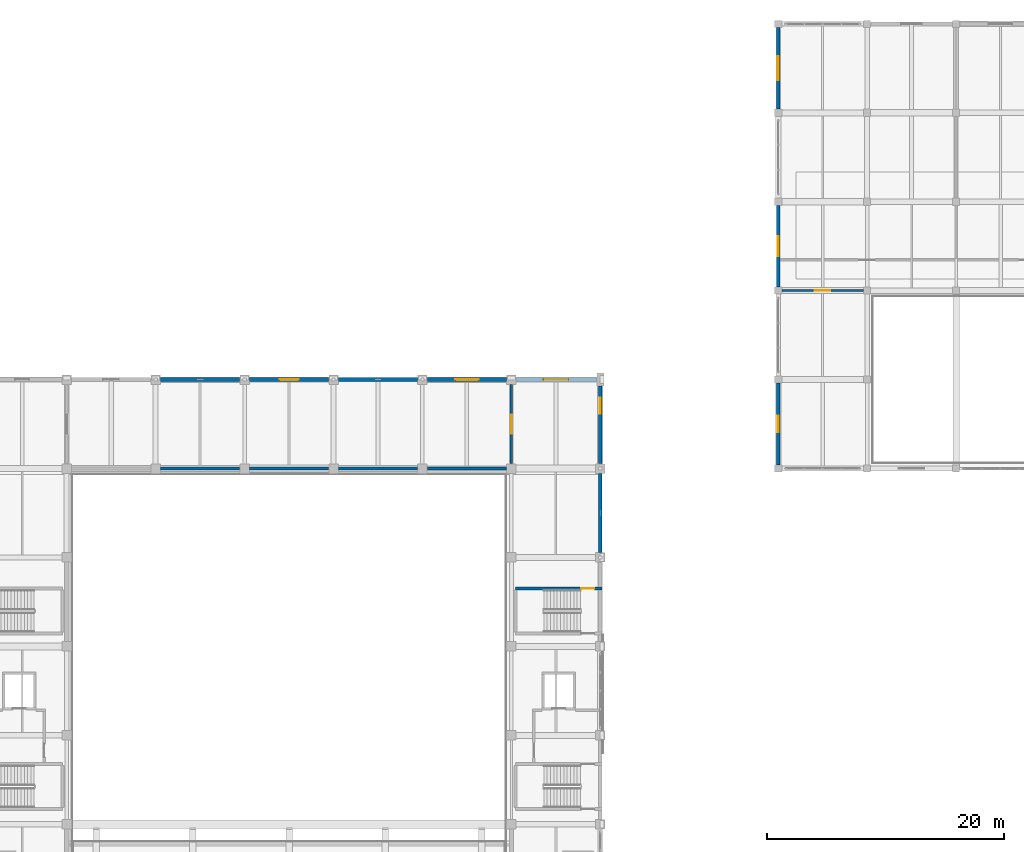
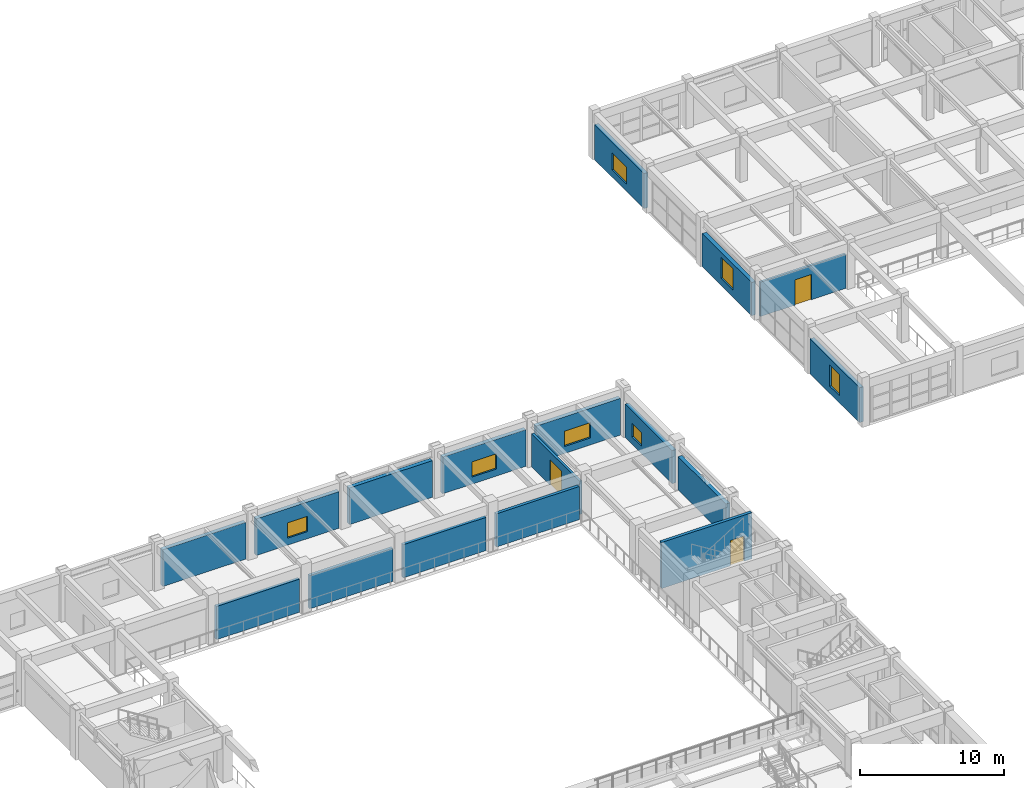
# One storey, part 98 of 124: 17 walls, 7 windows, 3 doors, 10 openings.
"""IFC4 building model written with IfcOpenShell, lengths in metres."""

from ifc_helpers import new_model, si_unit, direction, frame, frame_2d, origin, place, context, subcontext, project, spatial, rectangle, extrude, material, layer, layer_set, type_object, element, fill, save


model = new_model("IFC4")

# Units and contexts
model_context = context("Model", 3, precision=1e-05, world=origin(), true_north=direction((0.0, 1.0)))
body_context = subcontext(model_context, "Body", "Model", "MODEL_VIEW")
ifc_project = project(units=[si_unit("LENGTHUNIT", "METRE"), si_unit("AREAUNIT", "SQUARE_METRE"), si_unit("VOLUMEUNIT", "CUBIC_METRE"), si_unit("PLANEANGLEUNIT", "RADIAN"), si_unit("MASSUNIT", "GRAM", prefix="KILO")], contexts=[model_context])

# Site, building, storey
site_placement = place(None, origin())
site = spatial("IfcSite", under=ifc_project, at=site_placement, CompositionType="ELEMENT")
building_placement = place(site_placement, origin())
building = spatial("IfcBuilding", under=site, at=building_placement, Name="Qasida Concert Hall", CompositionType="ELEMENT")
storey_placement = place(building_placement, frame((0.0, 0.0, 9.0)))
storey = spatial("IfcBuildingStorey", under=building, at=storey_placement, Name="L02", CompositionType="ELEMENT", Elevation=9.0)

# Wall, opening, door
ifc_material_1 = material(Name="Concrete C40/50", Category="concrete")
ifc_layer_1 = layer(ifc_material_1, 0.25, Name="Concrete C40/50")
ifc_layer_set_1 = layer_set([ifc_layer_1], Name="Concrete C40/50")
wall_type_1 = type_object("IfcWallType", Name="WL-CW-250", PredefinedType="SOLIDWALL", material=ifc_layer_set_1)
wall_1_placement = place(storey_placement, frame((97.860107421875, 64.885009765625, 0.0), z_axis=(0.0, 0.0, 1.0), x_axis=(1.0, 0.0, 0.0)))
wall_1 = element("IfcWall", 1, at=wall_1_placement, inside=storey, type_object=wall_type_1, Name="L02 ST-12 stairwell wall N", PredefinedType="SOLIDWALL", context=body_context, shape_type="SweptSolid", body=[
    extrude(rectangle(XDim=7.260009765625, YDim=0.25, at=frame_2d((3.6298828125, 0.0))), origin(), (0.0, 0.0, 1.0), 3.919921875),
])
opening_1_placement = place(wall_1_placement, frame((5.5400390625, 0.0, 0.0)))
opening_1 = element("IfcOpeningElement", 2, at=opening_1_placement, cuts=wall_1, Name="Opening FD-110", PredefinedType="OPENING", context=body_context, shape_type="SweptSolid", body=[
    extrude(rectangle(XDim=1.10009765625, YDim=2.14990234375, at=frame_2d((0.550048828125, 1.074951171875))), frame((0.0, 0.135009765625, 0.0), z_axis=(0.0, -1.0, 0.0), x_axis=(1.0, 0.0, 0.0)), (0.0, 0.0, 1.0), 0.27001953125),
])
ifc_material_2 = material(Name="Steel fire-rated stair/lobby door set", Category="steel")
door_type_1 = type_object("IfcDoorType", Name="FD-110", OperationType="NOTDEFINED", PredefinedType="DOOR", material=ifc_material_2)
door_1_placement = place(opening_1_placement, frame((1.10009765625, 0.0, 0.0), z_axis=(0.0, 0.0, 1.0), x_axis=(-1.0, 0.0, 0.0)))
door_1 = element("IfcDoor", 3, at=door_1_placement, inside=storey, type_object=door_type_1, Name="L02 ST-12 rated stair door", OperationType="SINGLE_SWING_RIGHT", OverallHeight=2.14990234375, OverallWidth=1.10009765625, PredefinedType="DOOR", context=body_context, shape_type="SweptSolid", body=[
    extrude(rectangle(XDim=1.10009765625, YDim=2.14990234375, at=frame_2d((0.550048828125, 1.074951171875))), frame((0.0, 0.02490234375, 0.0), z_axis=(0.0, -1.0, 0.0), x_axis=(1.0, 0.0, 0.0)), (0.0, 0.0, 1.0), 0.050048828125),
])
fill(opening_1, door_1)

# Wall
ifc_material_3 = material(Name="Precast concrete C40/50", Category="concrete")
ifc_layer_2 = layer(ifc_material_3, 0.320068359375, Name="Precast concrete C40/50")
ifc_layer_set_2 = layer_set([ifc_layer_2], Name="Precast concrete C40/50")
wall_type_2 = type_object("IfcWallType", Name="WL-EW-320", PredefinedType="SOLIDWALL", material=ifc_layer_set_2)
wall_2_placement = place(storey_placement, frame((105.0, 67.9150390625, 0.0), z_axis=(0.0, 0.0, 1.0), x_axis=(0.0, 1.0, 0.0)))
element("IfcWall", 4, at=wall_2_placement, inside=storey, type_object=wall_type_2, Name="L02 exterior wall EW-320 0053", PredefinedType="SOLIDWALL", context=body_context, shape_type="SweptSolid", body=[
    extrude(rectangle(XDim=6.669921875, YDim=0.320068359375, at=frame_2d((3.3349609375, 0.0))), origin(), (0.0, 0.0, 1.0), 2.820068359375),
])

# Wall, opening, window
wall_3_placement = place(storey_placement, frame((105.0, 75.4150390625, 0.0), z_axis=(0.0, 0.0, 1.0), x_axis=(0.0, 1.0, 0.0)))
wall_3 = element("IfcWall", 5, at=wall_3_placement, inside=storey, type_object=wall_type_2, Name="L02 exterior wall EW-320 0054", PredefinedType="SOLIDWALL", context=body_context, shape_type="SweptSolid", body=[
    extrude(rectangle(XDim=6.530029296875, YDim=0.320068359375, at=frame_2d((3.26513671875, 0.0))), origin(), (0.0, 0.0, 1.0), 2.820068359375),
])
opening_2_placement = place(wall_3_placement, frame((4.22509765625, 0.0, 0.60009765625)))
opening_2 = element("IfcOpeningElement", 6, at=opening_2_placement, cuts=wall_3, Name="Opening WN-23", PredefinedType="OPENING", context=body_context, shape_type="SweptSolid", body=[
    extrude(rectangle(XDim=1.35009765625, YDim=1.14990234375, at=frame_2d((0.675048828125, 0.574951171875))), frame((0.0, 0.169921875, 0.0), z_axis=(0.0, -1.0, 0.0), x_axis=(1.0, 0.0, 0.0)), (0.0, 0.0, 1.0), 0.340087890625),
])
ifc_material_4 = material(Name="Bronze-anodized aluminium frame with acoustic low-E glazing", Category="aluminium")
window_type_1 = type_object("IfcWindowType", Name="WN-23", PartitioningType="SINGLE_PANEL", PredefinedType="WINDOW", material=ifc_material_4)
window_1_placement = place(opening_2_placement, origin())
window_1 = element("IfcWindow", 7, at=window_1_placement, inside=storey, type_object=window_type_1, Name="L02 window WN-23 0015", OverallHeight=1.14990234375, OverallWidth=1.35009765625, PartitioningType="SINGLE_PANEL", PredefinedType="WINDOW", context=body_context, shape_type="SweptSolid", body=[
    extrude(rectangle(XDim=1.35009765625, YDim=1.14990234375, at=frame_2d((0.675048828125, 0.574951171875))), frame((0.0, 0.030029296875, 0.0), z_axis=(0.0, -1.0, 0.0), x_axis=(1.0, 0.0, 0.0)), (0.0, 0.0, 1.0), 0.06005859375),
])
fill(opening_2, window_1)

# Wall
wall_4_placement = place(storey_placement, frame((67.9150390625, 82.5, 0.0), z_axis=(0.0, 0.0, 1.0), x_axis=(1.0, 0.0, 0.0)))
element("IfcWall", 8, at=wall_4_placement, inside=storey, type_object=wall_type_2, Name="L02 exterior wall EW-320 0057", PredefinedType="SOLIDWALL", context=body_context, shape_type="SweptSolid", body=[
    extrude(rectangle(XDim=6.669921875, YDim=0.320068359375, at=frame_2d((3.3349609375, 0.0))), origin(), (0.0, 0.0, 1.0), 3.1201171875),
])

# Wall, opening, window
wall_5_placement = place(storey_placement, frame((75.4150390625, 82.5, 0.0), z_axis=(0.0, 0.0, 1.0), x_axis=(1.0, 0.0, 0.0)))
wall_5 = element("IfcWall", 9, at=wall_5_placement, inside=storey, type_object=wall_type_2, Name="L02 exterior wall EW-320 0058", PredefinedType="SOLIDWALL", context=body_context, shape_type="SweptSolid", body=[
    extrude(rectangle(XDim=6.669921875, YDim=0.320068359375, at=frame_2d((3.3349609375, 0.0))), origin(), (0.0, 0.0, 1.0), 3.1201171875),
])
opening_3_placement = place(wall_5_placement, frame((2.534912109375, 0.0, 0.60009765625)))
opening_3 = element("IfcOpeningElement", 10, at=opening_3_placement, cuts=wall_5, Name="Opening WN-12", PredefinedType="OPENING", context=body_context, shape_type="SweptSolid", body=[
    extrude(rectangle(XDim=1.60009765625, YDim=1.300048828125, at=frame_2d((0.800048828125, 0.64990234375))), frame((0.0, 0.169921875, 0.0), z_axis=(0.0, -1.0, 0.0), x_axis=(1.0, 0.0, 0.0)), (0.0, 0.0, 1.0), 0.340087890625),
])
window_type_2 = type_object("IfcWindowType", Name="WN-12", PartitioningType="SINGLE_PANEL", PredefinedType="WINDOW", material=ifc_material_4)
window_2_placement = place(opening_3_placement, origin())
window_2 = element("IfcWindow", 11, at=window_2_placement, inside=storey, type_object=window_type_2, Name="L02 window WN-12 0018", OverallHeight=1.300048828125, OverallWidth=1.60009765625, PartitioningType="SINGLE_PANEL", PredefinedType="WINDOW", context=body_context, shape_type="SweptSolid", body=[
    extrude(rectangle(XDim=1.60009765625, YDim=1.300048828125, at=frame_2d((0.800048828125, 0.64990234375))), frame((0.0, 0.030029296875, 0.0), z_axis=(0.0, -1.0, 0.0), x_axis=(1.0, 0.0, 0.0)), (0.0, 0.0, 1.0), 0.06005859375),
])
fill(opening_3, window_2)

# Wall
wall_6_placement = place(storey_placement, frame((82.9150390625, 82.5, 0.0), z_axis=(0.0, 0.0, 1.0), x_axis=(1.0, 0.0, 0.0)))
element("IfcWall", 12, at=wall_6_placement, inside=storey, type_object=wall_type_2, Name="L02 exterior wall EW-320 0059", PredefinedType="SOLIDWALL", context=body_context, shape_type="SweptSolid", body=[
    extrude(rectangle(XDim=6.669921875, YDim=0.320068359375, at=frame_2d((3.3349609375, 0.0))), origin(), (0.0, 0.0, 1.0), 3.1201171875),
])

# Wall, opening, window
wall_7_placement = place(storey_placement, frame((90.4150390625, 82.5, 0.0), z_axis=(0.0, 0.0, 1.0), x_axis=(1.0, 0.0, 0.0)))
wall_7 = element("IfcWall", 13, at=wall_7_placement, inside=storey, type_object=wall_type_2, Name="L02 exterior wall EW-320 0060", PredefinedType="SOLIDWALL", context=body_context, shape_type="SweptSolid", body=[
    extrude(rectangle(XDim=6.669921875, YDim=0.320068359375, at=frame_2d((3.3349609375, 0.0))), origin(), (0.0, 0.0, 1.0), 3.1201171875),
])
opening_4_placement = place(wall_7_placement, frame((2.360107421875, 0.0, 0.60009765625)))
opening_4 = element("IfcOpeningElement", 14, at=opening_4_placement, cuts=wall_7, Name="Opening WN-14", PredefinedType="OPENING", context=body_context, shape_type="SweptSolid", body=[
    extrude(rectangle(XDim=1.949951171875, YDim=1.300048828125, at=frame_2d((0.97509765625, 0.64990234375))), frame((0.0, 0.169921875, 0.0), z_axis=(0.0, -1.0, 0.0), x_axis=(1.0, 0.0, 0.0)), (0.0, 0.0, 1.0), 0.340087890625),
])
window_type_3 = type_object("IfcWindowType", Name="WN-14", PartitioningType="SINGLE_PANEL", PredefinedType="WINDOW", material=ifc_material_4)
window_3_placement = place(opening_4_placement, origin())
window_3 = element("IfcWindow", 15, at=window_3_placement, inside=storey, type_object=window_type_3, Name="L02 window WN-14 0019", OverallHeight=1.300048828125, OverallWidth=1.949951171875, PartitioningType="SINGLE_PANEL", PredefinedType="WINDOW", context=body_context, shape_type="SweptSolid", body=[
    extrude(rectangle(XDim=1.949951171875, YDim=1.300048828125, at=frame_2d((0.97509765625, 0.64990234375))), frame((0.0, 0.030029296875, 0.0), z_axis=(0.0, -1.0, 0.0), x_axis=(1.0, 0.0, 0.0)), (0.0, 0.0, 1.0), 0.06005859375),
])
fill(opening_4, window_3)

wall_8_placement = place(storey_placement, frame((97.9150390625, 82.5, 0.0), z_axis=(0.0, 0.0, 1.0), x_axis=(1.0, 0.0, 0.0)))
wall_8 = element("IfcWall", 16, at=wall_8_placement, inside=storey, type_object=wall_type_2, Name="L02 exterior wall EW-320 0061", PredefinedType="SOLIDWALL", context=body_context, shape_type="SweptSolid", body=[
    extrude(rectangle(XDim=6.780029296875, YDim=0.320068359375, at=frame_2d((3.39013671875, 0.0))), origin(), (0.0, 0.0, 1.0), 3.1201171875),
])
opening_5_placement = place(wall_8_placement, frame((2.284912109375, 0.0, 0.60009765625)))
opening_5 = element("IfcOpeningElement", 17, at=opening_5_placement, cuts=wall_8, Name="Opening WN-15", PredefinedType="OPENING", context=body_context, shape_type="SweptSolid", body=[
    extrude(rectangle(XDim=2.10009765625, YDim=1.300048828125, at=frame_2d((1.050048828125, 0.64990234375))), frame((0.0, 0.169921875, 0.0), z_axis=(0.0, -1.0, 0.0), x_axis=(1.0, 0.0, 0.0)), (0.0, 0.0, 1.0), 0.340087890625),
])
window_type_4 = type_object("IfcWindowType", Name="WN-15", PartitioningType="SINGLE_PANEL", PredefinedType="WINDOW", material=ifc_material_4)
window_4_placement = place(opening_5_placement, origin())
window_4 = element("IfcWindow", 18, at=window_4_placement, inside=storey, type_object=window_type_4, Name="L02 window WN-15 0020", OverallHeight=1.300048828125, OverallWidth=2.10009765625, PartitioningType="SINGLE_PANEL", PredefinedType="WINDOW", context=body_context, shape_type="SweptSolid", body=[
    extrude(rectangle(XDim=2.10009765625, YDim=1.300048828125, at=frame_2d((1.050048828125, 0.64990234375))), frame((0.0, 0.030029296875, 0.0), z_axis=(0.0, -1.0, 0.0), x_axis=(1.0, 0.0, 0.0)), (0.0, 0.0, 1.0), 0.06005859375),
])
fill(opening_5, window_4)

wall_9_placement = place(storey_placement, frame((120.0, 75.304931640625, 0.0), z_axis=(0.0, 0.0, 1.0), x_axis=(0.0, 1.0, 0.0)))
wall_9 = element("IfcWall", 19, at=wall_9_placement, inside=storey, type_object=wall_type_2, Name="L02 exterior wall EW-320 0205", PredefinedType="SOLIDWALL", context=body_context, shape_type="SweptSolid", body=[
    extrude(rectangle(XDim=6.89013671875, YDim=0.320068359375, at=frame_2d((3.445068359375, 0.0))), origin(), (0.0, 0.0, 1.0), 2.969970703125),
])
opening_6_placement = place(wall_9_placement, frame((2.7451171875, 0.0, 0.60009765625)))
opening_6 = element("IfcOpeningElement", 20, at=opening_6_placement, cuts=wall_9, Name="Opening WN-03", PredefinedType="OPENING", context=body_context, shape_type="SweptSolid", body=[
    extrude(rectangle(XDim=1.39990234375, YDim=1.800048828125, at=frame_2d((0.699951171875, 0.89990234375))), frame((0.0, 0.169921875, 0.0), z_axis=(0.0, -1.0, 0.0), x_axis=(1.0, 0.0, 0.0)), (0.0, 0.0, 1.0), 0.340087890625),
])
window_type_5 = type_object("IfcWindowType", Name="WN-03", PartitioningType="SINGLE_PANEL", PredefinedType="WINDOW", material=ifc_material_4)
window_5_placement = place(opening_6_placement, origin())
window_5 = element("IfcWindow", 21, at=window_5_placement, inside=storey, type_object=window_type_5, Name="L02 window WN-03 0107", OverallHeight=1.800048828125, OverallWidth=1.39990234375, PartitioningType="SINGLE_PANEL", PredefinedType="WINDOW", context=body_context, shape_type="SweptSolid", body=[
    extrude(rectangle(XDim=1.39990234375, YDim=1.800048828125, at=frame_2d((0.699951171875, 0.89990234375))), frame((0.0, 0.030029296875, 0.0), z_axis=(0.0, -1.0, 0.0), x_axis=(1.0, 0.0, 0.0)), (0.0, 0.0, 1.0), 0.06005859375),
])
fill(opening_6, window_5)

wall_10_placement = place(storey_placement, frame((120.0, 90.304931640625, 0.0), z_axis=(0.0, 0.0, 1.0), x_axis=(0.0, 1.0, 0.0)))
wall_10 = element("IfcWall", 22, at=wall_10_placement, inside=storey, type_object=wall_type_2, Name="L02 exterior wall EW-320 0208", PredefinedType="SOLIDWALL", context=body_context, shape_type="SweptSolid", body=[
    extrude(rectangle(XDim=6.89013671875, YDim=0.320068359375, at=frame_2d((3.445068359375, 0.0))), origin(), (0.0, 0.0, 1.0), 2.820068359375),
])
opening_7_placement = place(wall_10_placement, frame((2.594970703125, 0.0, 0.60009765625)))
opening_7 = element("IfcOpeningElement", 23, at=opening_7_placement, cuts=wall_10, Name="Opening WN-05", PredefinedType="OPENING", context=body_context, shape_type="SweptSolid", body=[
    extrude(rectangle(XDim=1.699951171875, YDim=1.800048828125, at=frame_2d((0.85009765625, 0.89990234375))), frame((0.0, 0.169921875, 0.0), z_axis=(0.0, -1.0, 0.0), x_axis=(1.0, 0.0, 0.0)), (0.0, 0.0, 1.0), 0.340087890625),
])
window_type_6 = type_object("IfcWindowType", Name="WN-05", PartitioningType="SINGLE_PANEL", PredefinedType="WINDOW", material=ifc_material_4)
window_6_placement = place(opening_7_placement, origin())
window_6 = element("IfcWindow", 24, at=window_6_placement, inside=storey, type_object=window_type_6, Name="L02 window WN-05 0108", OverallHeight=1.800048828125, OverallWidth=1.699951171875, PartitioningType="SINGLE_PANEL", PredefinedType="WINDOW", context=body_context, shape_type="SweptSolid", body=[
    extrude(rectangle(XDim=1.699951171875, YDim=1.800048828125, at=frame_2d((0.85009765625, 0.89990234375))), frame((0.0, 0.030029296875, 0.0), z_axis=(0.0, -1.0, 0.0), x_axis=(1.0, 0.0, 0.0)), (0.0, 0.0, 1.0), 0.06005859375),
])
fill(opening_7, window_6)

wall_11_placement = place(storey_placement, frame((120.0, 105.304931640625, 0.0), z_axis=(0.0, 0.0, 1.0), x_axis=(0.0, 1.0, 0.0)))
wall_11 = element("IfcWall", 25, at=wall_11_placement, inside=storey, type_object=wall_type_2, Name="L02 exterior wall EW-320 0210", PredefinedType="SOLIDWALL", context=body_context, shape_type="SweptSolid", body=[
    extrude(rectangle(XDim=6.89013671875, YDim=0.320068359375, at=frame_2d((3.445068359375, 0.0))), origin(), (0.0, 0.0, 1.0), 2.969970703125),
])
opening_8_placement = place(wall_11_placement, frame((2.445068359375, 0.0, 0.60009765625)))
opening_8 = element("IfcOpeningElement", 26, at=opening_8_placement, cuts=wall_11, Name="Opening WN-07", PredefinedType="OPENING", context=body_context, shape_type="SweptSolid", body=[
    extrude(rectangle(XDim=2.0, YDim=1.449951171875, at=frame_2d((1.0, 0.72509765625))), frame((0.0, 0.169921875, 0.0), z_axis=(0.0, -1.0, 0.0), x_axis=(1.0, 0.0, 0.0)), (0.0, 0.0, 1.0), 0.340087890625),
])
window_type_7 = type_object("IfcWindowType", Name="WN-07", PartitioningType="SINGLE_PANEL", PredefinedType="WINDOW", material=ifc_material_4)
window_7_placement = place(opening_8_placement, origin())
window_7 = element("IfcWindow", 27, at=window_7_placement, inside=storey, type_object=window_type_7, Name="L02 window WN-07 0109", OverallHeight=1.449951171875, OverallWidth=2.0, PartitioningType="SINGLE_PANEL", PredefinedType="WINDOW", context=body_context, shape_type="SweptSolid", body=[
    extrude(rectangle(XDim=2.0, YDim=1.449951171875, at=frame_2d((1.0, 0.72509765625))), frame((0.0, 0.030029296875, 0.0), z_axis=(0.0, -1.0, 0.0), x_axis=(1.0, 0.0, 0.0)), (0.0, 0.0, 1.0), 0.06005859375),
])
fill(opening_8, window_7)

# Wall, opening, door
ifc_material_5 = material(Name="Acoustic metal-stud gypsum partition", Category="gypsum")
ifc_layer_3 = layer(ifc_material_5, 0.179931640625, Name="Acoustic metal-stud gypsum partition")
ifc_layer_set_3 = layer_set([ifc_layer_3], Name="Acoustic metal-stud gypsum partition")
wall_type_3 = type_object("IfcWallType", Name="WL-PW-180", PredefinedType="PARTITIONING", material=ifc_layer_set_3)
wall_12_placement = place(storey_placement, frame((120.31396484375, 90.0, 0.0), z_axis=(0.0, 0.0, 1.0), x_axis=(1.0, 0.0, 0.0)))
wall_12 = element("IfcWall", 28, at=wall_12_placement, inside=storey, type_object=wall_type_3, Name="L02 partition PW-180 0570", PredefinedType="PARTITIONING", context=body_context, shape_type="SweptSolid", body=[
    extrude(rectangle(XDim=6.8720703125, YDim=0.179931640625, at=frame_2d((3.43603515625, 0.0))), origin(), (0.0, 0.0, 1.0), 2.919921875),
])
opening_9_placement = place(wall_12_placement, frame((2.785888671875, 0.0, 0.0)))
opening_9 = element("IfcOpeningElement", 29, at=opening_9_placement, cuts=wall_12, Name="Opening ID-130", PredefinedType="OPENING", context=body_context, shape_type="SweptSolid", body=[
    extrude(rectangle(XDim=1.300048828125, YDim=2.14990234375, at=frame_2d((0.64990234375, 1.074951171875))), frame((0.0, 0.099853515625, 0.0), z_axis=(0.0, -1.0, 0.0), x_axis=(1.0, 0.0, 0.0)), (0.0, 0.0, 1.0), 0.199951171875),
])
ifc_material_6 = material(Name="Bronze-framed glazed salon door", Category="aluminium")
door_type_2 = type_object("IfcDoorType", Name="ID-130", OperationType="NOTDEFINED", PredefinedType="DOOR", material=ifc_material_6)
door_2_placement = place(opening_9_placement, origin())
door_2 = element("IfcDoor", 30, at=door_2_placement, inside=storey, type_object=door_type_2, Name="L02 Rehearsal observation gallery door", OperationType="SINGLE_SWING_LEFT", OverallHeight=2.14990234375, OverallWidth=1.300048828125, PredefinedType="DOOR", context=body_context, shape_type="SweptSolid", body=[
    extrude(rectangle(XDim=1.300048828125, YDim=2.14990234375, at=frame_2d((0.64990234375, 1.074951171875))), frame((0.0, 0.02490234375, 0.0), z_axis=(0.0, -1.0, 0.0), x_axis=(1.0, 0.0, 0.0)), (0.0, 0.0, 1.0), 0.050048828125),
])
fill(opening_9, door_2)

ifc_material_7 = material(Name="Acoustic gypsum block and mineral wool", Category="gypsum")
ifc_layer_4 = layer(ifc_material_7, 0.199951171875, Name="Acoustic gypsum block and mineral wool")
ifc_layer_set_4 = layer_set([ifc_layer_4], Name="Acoustic gypsum block and mineral wool")
wall_type_4 = type_object("IfcWallType", Name="WL-PW-200", PredefinedType="PARTITIONING", material=ifc_layer_set_4)
wall_13_placement = place(storey_placement, frame((97.5, 75.4140625, 0.0), z_axis=(0.0, 0.0, 1.0), x_axis=(0.0, 1.0, 0.0)))
wall_13 = element("IfcWall", 31, at=wall_13_placement, inside=storey, type_object=wall_type_4, Name="L02 partition PW-200 0479", PredefinedType="PARTITIONING", context=body_context, shape_type="SweptSolid", body=[
    extrude(rectangle(XDim=6.671875, YDim=0.199951171875, at=frame_2d((3.3359375, 0.0))), origin(), (0.0, 0.0, 1.0), 2.820068359375),
])
opening_10_placement = place(wall_13_placement, frame((2.535888671875, 0.0, 0.0)))
opening_10 = element("IfcOpeningElement", 32, at=opening_10_placement, cuts=wall_13, Name="Opening FD-160", PredefinedType="OPENING", context=body_context, shape_type="SweptSolid", body=[
    extrude(rectangle(XDim=1.60009765625, YDim=2.14990234375, at=frame_2d((0.800048828125, 1.074951171875))), frame((0.0, 0.10986328125, 0.0), z_axis=(0.0, -1.0, 0.0), x_axis=(1.0, 0.0, 0.0)), (0.0, 0.0, 1.0), 0.219970703125),
])
ifc_material_8 = material(Name="Double-leaf acoustic fire door", Category="steel")
door_type_3 = type_object("IfcDoorType", Name="FD-160", OperationType="NOTDEFINED", PredefinedType="DOOR", material=ifc_material_8)
door_3_placement = place(opening_10_placement, origin())
door_3 = element("IfcDoor", 33, at=door_3_placement, inside=storey, type_object=door_type_3, Name="L02 L02 north gallery east fire door", OperationType="SINGLE_SWING_LEFT", OverallHeight=2.14990234375, OverallWidth=1.60009765625, PredefinedType="DOOR", context=body_context, shape_type="SweptSolid", body=[
    extrude(rectangle(XDim=1.60009765625, YDim=2.14990234375, at=frame_2d((0.800048828125, 1.074951171875))), frame((0.0, 0.02490234375, 0.0), z_axis=(0.0, -1.0, 0.0), x_axis=(1.0, 0.0, 0.0)), (0.0, 0.0, 1.0), 0.050048828125),
])
fill(opening_10, door_3)

# Walls
ifc_material_9 = material(Name="Double-stud acoustic gypsum and mineral wool", Category="gypsum")
ifc_layer_5 = layer(ifc_material_9, 0.239990234375, Name="Double-stud acoustic gypsum and mineral wool")
ifc_layer_set_5 = layer_set([ifc_layer_5], Name="Double-stud acoustic gypsum and mineral wool")
wall_type_5 = type_object("IfcWallType", Name="WL-PW-240", PredefinedType="PARTITIONING", material=ifc_layer_set_5)
for number, where, z_axis, x_axis, name in (
    (34, (67.9140625, 75.0, 0.0), (0.0, 0.0, 1.0), (1.0, 0.0, 0.0), "L02 partition PW-240 0474"),
    (35, (75.4140625, 75.0, 0.0), (0.0, 0.0, 1.0), (1.0, 0.0, 0.0), "L02 partition PW-240 0475"),
    (36, (82.9140625, 75.0, 0.0), (0.0, 0.0, 1.0), (1.0, 0.0, 0.0), "L02 partition PW-240 0476"),
    (37, (90.4140625, 75.0, 0.0), (0.0, 0.0, 1.0), (1.0, 0.0, 0.0), "L02 partition PW-240 0477"),
):
    element("IfcWall", number, at=place(storey_placement, frame(where, z_axis=z_axis, x_axis=x_axis)), inside=storey, type_object=wall_type_5, Name=name, PredefinedType="PARTITIONING", context=body_context, shape_type="SweptSolid", body=[
        extrude(rectangle(XDim=6.671875, YDim=0.239990234375, at=frame_2d((3.3359375, 0.0))), origin(), (0.0, 0.0, 1.0), 2.820068359375),
    ])

save(model, "model.ifc")
